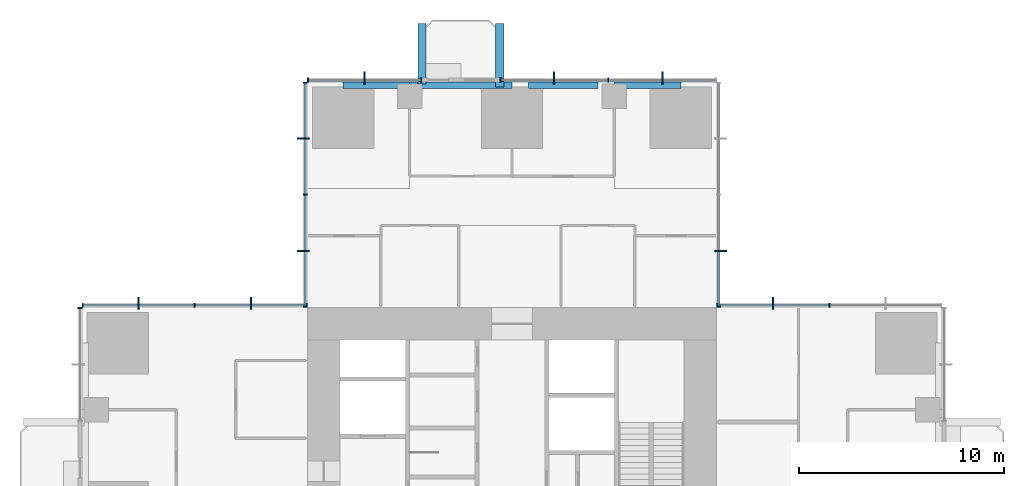
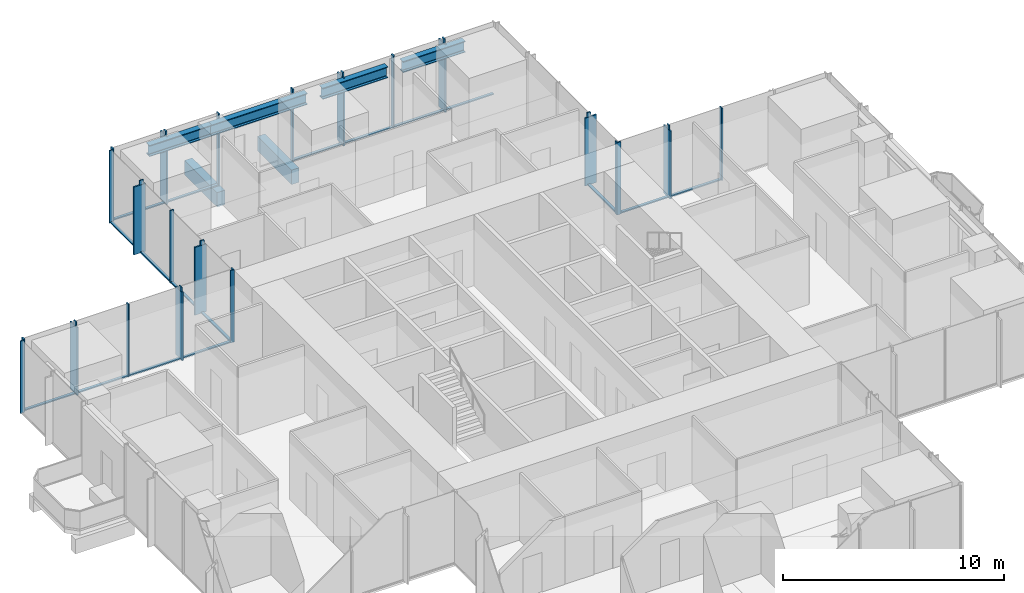
# One storey, part 5 of 14: 49 members, 6 beams, 7 elements without a shape of their own.
"""IFC4 building model written with IfcOpenShell, lengths in metres."""

from ifc_helpers import new_model, si_unit, direction, frame, origin, origin_2d, place, context, subcontext, project, spatial, rectangle, i_section, extrude, material, material_profile, profile_set, type_object, element, aggregate, save


model = new_model("IFC4")

# Units and contexts
model_context = context("Model", 3, precision=1e-05, world=origin(), true_north=direction((0.0, 1.0)))
body_context = subcontext(model_context, "Body", "Model", "MODEL_VIEW")
ifc_project = project(units=[si_unit("LENGTHUNIT", "METRE"), si_unit("AREAUNIT", "SQUARE_METRE"), si_unit("VOLUMEUNIT", "CUBIC_METRE"), si_unit("PLANEANGLEUNIT", "RADIAN"), si_unit("MASSUNIT", "GRAM", prefix="KILO")], contexts=[model_context])

# Site, building, storey
site_placement = place(None, origin())
site = spatial("IfcSite", under=ifc_project, at=site_placement, CompositionType="ELEMENT")
building_placement = place(site_placement, origin())
building = spatial("IfcBuilding", under=site, at=building_placement, Name="Svetlomir Tower", CompositionType="ELEMENT")
storey_placement = place(building_placement, frame((0.0, 0.0, 108.5)))
storey = spatial("IfcBuildingStorey", under=building, at=storey_placement, Name="L25", CompositionType="ELEMENT", Elevation=108.5)

# Beams
ifc_material_1 = material(Name="Concrete C60/75", Category="concrete")
ifc_material_profile_1 = material_profile(ifc_material_1, rectangle(XDim=0.39990234375, YDim=0.800048828125, at=origin_2d()), Name="RC 400x800")
ifc_profile_set_1 = profile_set([ifc_material_profile_1], Name="Concrete C60/75")
beam_type_1 = type_object("IfcBeamType", Name="BALCONY RIB RC 400x800", PredefinedType="BEAM", material=ifc_profile_set_1)
beam_1_placement = place(storey_placement, frame((16.60009765625, 41.89990234375, -0.64990234375), z_axis=(0.0, 1.0, 0.0), x_axis=(-1.0, 0.0, 0.0)))
element("IfcBeam", 1, at=beam_1_placement, inside=storey, type_object=beam_type_1, Name="Balcony rib N 1 L25", PredefinedType="BEAM", context=body_context, shape_type="SweptSolid", body=[
    extrude(rectangle(XDim=0.39990234375, YDim=0.800048828125, at=origin_2d()), origin(), (0.0, 0.0, 1.0), 2.9501953125),
])
beam_2_placement = place(storey_placement, frame((20.39990234375, 41.75, -0.64990234375), z_axis=(0.0, 1.0, 0.0), x_axis=(-1.0, 0.0, 0.0)))
element("IfcBeam", 2, at=beam_2_placement, inside=storey, type_object=beam_type_1, Name="Balcony rib N 2 L25", PredefinedType="BEAM", context=body_context, shape_type="SweptSolid", body=[
    extrude(rectangle(XDim=0.39990234375, YDim=0.800048828125, at=origin_2d()), origin(), (0.0, 0.0, 1.0), 3.10009765625),
])

# Curtain wall, member
ifc_material_2 = material(Name="Bronze anodised aluminium curtain wall", Category="aluminium")
curtain_wall_type = type_object("IfcCurtainWallType", Name="CURTAIN WALL CW1 TOWER OFFICE", PredefinedType="NOTDEFINED", material=ifc_material_2)
curtain_wall_1_placement = place(storey_placement, origin())
curtain_wall_1 = element("IfcCurtainWall", 3, at=curtain_wall_1_placement, inside=storey, type_object=curtain_wall_type, Name="Curtain wall CW1 L25", PredefinedType="NOTDEFINED")
ifc_material_3 = material(Name="Bronze anodised aluminium", Category="aluminium")
ifc_material_profile_2 = material_profile(ifc_material_3, rectangle(XDim=0.080078125, YDim=0.60009765625, at=origin_2d()), Name="FIN 80x600")
ifc_profile_set_2 = profile_set([ifc_material_profile_2], Name="Bronze anodised aluminium 6063-T6")
member_type_1 = type_object("IfcMemberType", Name="BRONZE FIN 80x600", PredefinedType="USERDEFINED", material=ifc_profile_set_2)
member_1_placement = place(storey_placement, frame((33.75, 31.199951171875, 0.0), z_axis=(0.0, 0.0, 1.0), x_axis=(1.0, 0.0, 0.0)))
member_1 = element("IfcMember", 4, at=member_1_placement, type_object=member_type_1, Name="Bronze fin L25", ObjectType="FIN", PredefinedType="USERDEFINED", context=body_context, shape_type="SweptSolid", body=[
    extrude(rectangle(XDim=0.080078125, YDim=0.60009765625, at=origin_2d()), origin(), (0.0, 0.0, 1.0), 3.75),
])

curtain_wall_2_placement = place(storey_placement, origin())
curtain_wall_2 = element("IfcCurtainWall", 5, at=curtain_wall_2_placement, inside=storey, type_object=curtain_wall_type, Name="Curtain wall CW1 L25", PredefinedType="NOTDEFINED")
member_2_placement = place(storey_placement, frame((31.199951171875, 33.75, 0.0), z_axis=(0.0, 0.0, 1.0), x_axis=(0.0, 1.0, 0.0)))
member_2 = element("IfcMember", 6, at=member_2_placement, type_object=member_type_1, Name="Bronze fin L25", ObjectType="FIN", PredefinedType="USERDEFINED", context=body_context, shape_type="SweptSolid", body=[
    extrude(rectangle(XDim=0.080078125, YDim=0.60009765625, at=origin_2d()), origin(), (0.0, 0.0, 1.0), 3.75),
])

# Curtain wall, members
curtain_wall_3_placement = place(storey_placement, origin())
curtain_wall_3 = element("IfcCurtainWall", 7, at=curtain_wall_3_placement, inside=storey, type_object=curtain_wall_type, Name="Curtain wall CW1 L25", PredefinedType="NOTDEFINED")
member_3_placement = place(storey_placement, frame((28.35009765625, 42.199951171875, 0.0), z_axis=(0.0, 0.0, 1.0), x_axis=(1.0, 0.0, 0.0)))
member_3 = element("IfcMember", 8, at=member_3_placement, type_object=member_type_1, Name="Bronze fin L25", ObjectType="FIN", PredefinedType="USERDEFINED", context=body_context, shape_type="SweptSolid", body=[
    extrude(rectangle(XDim=0.080078125, YDim=0.60009765625, at=origin_2d()), origin(), (0.0, 0.0, 1.0), 3.75),
])
member_4_placement = place(storey_placement, frame((23.050048828125, 42.199951171875, 0.0), z_axis=(0.0, 0.0, 1.0), x_axis=(1.0, 0.0, 0.0)))
member_4 = element("IfcMember", 9, at=member_4_placement, type_object=member_type_1, Name="Bronze fin L25", ObjectType="FIN", PredefinedType="USERDEFINED", context=body_context, shape_type="SweptSolid", body=[
    extrude(rectangle(XDim=0.080078125, YDim=0.60009765625, at=origin_2d()), origin(), (0.0, 0.0, 1.0), 3.75),
])

# Curtain wall, member
curtain_wall_4_placement = place(storey_placement, origin())
curtain_wall_4 = element("IfcCurtainWall", 10, at=curtain_wall_4_placement, inside=storey, type_object=curtain_wall_type, Name="Curtain wall CW1 L25", PredefinedType="NOTDEFINED")
member_5_placement = place(storey_placement, frame((13.800048828125, 42.199951171875, 0.0), z_axis=(0.0, 0.0, 1.0), x_axis=(1.0, 0.0, 0.0)))
member_5 = element("IfcMember", 11, at=member_5_placement, type_object=member_type_1, Name="Bronze fin L25", ObjectType="FIN", PredefinedType="USERDEFINED", context=body_context, shape_type="SweptSolid", body=[
    extrude(rectangle(XDim=0.080078125, YDim=0.60009765625, at=origin_2d()), origin(), (0.0, 0.0, 1.0), 3.75),
])

# Curtain wall, members
curtain_wall_5_placement = place(storey_placement, origin())
curtain_wall_5 = element("IfcCurtainWall", 12, at=curtain_wall_5_placement, inside=storey, type_object=curtain_wall_type, Name="Curtain wall CW1 L25", PredefinedType="NOTDEFINED")
member_6_placement = place(storey_placement, frame((10.800048828125, 39.25, 0.0), z_axis=(0.0, 0.0, 1.0), x_axis=(0.0, 1.0, 0.0)))
member_6 = element("IfcMember", 13, at=member_6_placement, type_object=member_type_1, Name="Bronze fin L25", ObjectType="FIN", PredefinedType="USERDEFINED", context=body_context, shape_type="SweptSolid", body=[
    extrude(rectangle(XDim=0.080078125, YDim=0.60009765625, at=origin_2d()), origin(), (0.0, 0.0, 1.0), 3.75),
])
member_7_placement = place(storey_placement, frame((10.800048828125, 33.75, 0.0), z_axis=(0.0, 0.0, 1.0), x_axis=(0.0, 1.0, 0.0)))
member_7 = element("IfcMember", 14, at=member_7_placement, type_object=member_type_1, Name="Bronze fin L25", ObjectType="FIN", PredefinedType="USERDEFINED", context=body_context, shape_type="SweptSolid", body=[
    extrude(rectangle(XDim=0.080078125, YDim=0.60009765625, at=origin_2d()), origin(), (0.0, 0.0, 1.0), 3.75),
])

curtain_wall_6_placement = place(storey_placement, origin())
curtain_wall_6 = element("IfcCurtainWall", 15, at=curtain_wall_6_placement, inside=storey, type_object=curtain_wall_type, Name="Curtain wall CW1 L25", PredefinedType="NOTDEFINED")
member_8_placement = place(storey_placement, frame((8.25, 31.199951171875, 0.0), z_axis=(0.0, 0.0, 1.0), x_axis=(1.0, 0.0, 0.0)))
member_8 = element("IfcMember", 16, at=member_8_placement, type_object=member_type_1, Name="Bronze fin L25", ObjectType="FIN", PredefinedType="USERDEFINED", context=body_context, shape_type="SweptSolid", body=[
    extrude(rectangle(XDim=0.080078125, YDim=0.60009765625, at=origin_2d()), origin(), (0.0, 0.0, 1.0), 3.75),
])
member_9_placement = place(storey_placement, frame((2.75, 31.199951171875, 0.0), z_axis=(0.0, 0.0, 1.0), x_axis=(1.0, 0.0, 0.0)))
member_9 = element("IfcMember", 17, at=member_9_placement, type_object=member_type_1, Name="Bronze fin L25", ObjectType="FIN", PredefinedType="USERDEFINED", context=body_context, shape_type="SweptSolid", body=[
    extrude(rectangle(XDim=0.080078125, YDim=0.60009765625, at=origin_2d()), origin(), (0.0, 0.0, 1.0), 3.75),
])

# Member
ifc_material_4 = material(Name="Bronze anodised aluminium", Category="aluminium")
ifc_material_profile_3 = material_profile(ifc_material_4, rectangle(XDim=0.06494140625, YDim=0.199951171875, at=origin_2d()), Name="AL 65x200")
ifc_profile_set_3 = profile_set([ifc_material_profile_3], Name="Bronze anodised aluminium 6063-T6")
member_type_2 = type_object("IfcMemberType", Name="CW1 MULLION 65x200", PredefinedType="MULLION", material=ifc_profile_set_3)
member_10_placement = place(storey_placement, frame((36.5, 31.10009765625, 0.0), z_axis=(0.0, 0.0, 1.0), x_axis=(-1.0, 0.0, 0.0)))
member_10 = element("IfcMember", 18, at=member_10_placement, type_object=member_type_2, Name="CW1 mullion 3", PredefinedType="MULLION", context=body_context, shape_type="SweptSolid", body=[
    extrude(rectangle(XDim=0.06494140625, YDim=0.199951171875, at=origin_2d()), origin(), (0.0, 0.0, 1.0), 4.0),
])

member_11_placement = place(storey_placement, frame((33.75, 31.10009765625, 0.0), z_axis=(0.0, 0.0, 1.0), x_axis=(-1.0, 0.0, 0.0)))
member_11 = element("IfcMember", 19, at=member_11_placement, type_object=member_type_2, Name="CW1 mullion 4", PredefinedType="MULLION", context=body_context, shape_type="SweptSolid", body=[
    extrude(rectangle(XDim=0.06494140625, YDim=0.199951171875, at=origin_2d()), origin(), (0.0, 0.0, 1.0), 4.0),
])

member_12_placement = place(storey_placement, frame((31.032470703125, 31.10009765625, 0.0), z_axis=(0.0, 0.0, 1.0), x_axis=(-1.0, 0.0, 0.0)))
member_12 = element("IfcMember", 20, at=member_12_placement, type_object=member_type_2, Name="CW1 mullion 5", PredefinedType="MULLION", context=body_context, shape_type="SweptSolid", body=[
    extrude(rectangle(XDim=0.06494140625, YDim=0.199951171875, at=origin_2d()), origin(), (0.0, 0.0, 1.0), 4.0),
])

member_13_placement = place(storey_placement, frame((31.10009765625, 31.032470703125, 0.0), z_axis=(0.0, 0.0, 1.0), x_axis=(0.0, 1.0, 0.0)))
member_13 = element("IfcMember", 21, at=member_13_placement, type_object=member_type_2, Name="CW1 mullion 1", PredefinedType="MULLION", context=body_context, shape_type="SweptSolid", body=[
    extrude(rectangle(XDim=0.06494140625, YDim=0.199951171875, at=origin_2d()), origin(), (0.0, 0.0, 1.0), 4.0),
])

member_14_placement = place(storey_placement, frame((31.10009765625, 33.75, 0.0), z_axis=(0.0, 0.0, 1.0), x_axis=(0.0, 1.0, 0.0)))
member_14 = element("IfcMember", 22, at=member_14_placement, type_object=member_type_2, Name="CW1 mullion 2", PredefinedType="MULLION", context=body_context, shape_type="SweptSolid", body=[
    extrude(rectangle(XDim=0.06494140625, YDim=0.199951171875, at=origin_2d()), origin(), (0.0, 0.0, 1.0), 4.0),
])

member_15_placement = place(storey_placement, frame((28.35009765625, 42.10009765625, 0.0), z_axis=(0.0, 0.0, 1.0), x_axis=(-1.0, 0.0, 0.0)))
member_15 = element("IfcMember", 23, at=member_15_placement, type_object=member_type_2, Name="CW1 mullion 2", PredefinedType="MULLION", context=body_context, shape_type="SweptSolid", body=[
    extrude(rectangle(XDim=0.06494140625, YDim=0.199951171875, at=origin_2d()), origin(), (0.0, 0.0, 1.0), 4.0),
])

member_16_placement = place(storey_placement, frame((25.699951171875, 42.10009765625, 0.0), z_axis=(0.0, 0.0, 1.0), x_axis=(-1.0, 0.0, 0.0)))
member_16 = element("IfcMember", 24, at=member_16_placement, type_object=member_type_2, Name="CW1 mullion 3", PredefinedType="MULLION", context=body_context, shape_type="SweptSolid", body=[
    extrude(rectangle(XDim=0.06494140625, YDim=0.199951171875, at=origin_2d()), origin(), (0.0, 0.0, 1.0), 4.0),
])

member_17_placement = place(storey_placement, frame((23.050048828125, 42.10009765625, 0.0), z_axis=(0.0, 0.0, 1.0), x_axis=(-1.0, 0.0, 0.0)))
member_17 = element("IfcMember", 25, at=member_17_placement, type_object=member_type_2, Name="CW1 mullion 4", PredefinedType="MULLION", context=body_context, shape_type="SweptSolid", body=[
    extrude(rectangle(XDim=0.06494140625, YDim=0.199951171875, at=origin_2d()), origin(), (0.0, 0.0, 1.0), 4.0),
])

member_18_placement = place(storey_placement, frame((20.4326171875, 42.10009765625, 0.0), z_axis=(0.0, 0.0, 1.0), x_axis=(-1.0, 0.0, 0.0)))
member_18 = element("IfcMember", 26, at=member_18_placement, type_object=member_type_2, Name="CW1 mullion 5", PredefinedType="MULLION", context=body_context, shape_type="SweptSolid", body=[
    extrude(rectangle(XDim=0.06494140625, YDim=0.199951171875, at=origin_2d()), origin(), (0.0, 0.0, 1.0), 4.0),
])

member_19_placement = place(storey_placement, frame((16.5673828125, 42.10009765625, 0.0), z_axis=(0.0, 0.0, 1.0), x_axis=(-1.0, 0.0, 0.0)))
member_19 = element("IfcMember", 27, at=member_19_placement, type_object=member_type_2, Name="CW1 mullion 1", PredefinedType="MULLION", context=body_context, shape_type="SweptSolid", body=[
    extrude(rectangle(XDim=0.06494140625, YDim=0.199951171875, at=origin_2d()), origin(), (0.0, 0.0, 1.0), 4.0),
])

member_20_placement = place(storey_placement, frame((13.800048828125, 42.10009765625, 0.0), z_axis=(0.0, 0.0, 1.0), x_axis=(-1.0, 0.0, 0.0)))
member_20 = element("IfcMember", 28, at=member_20_placement, type_object=member_type_2, Name="CW1 mullion 2", PredefinedType="MULLION", context=body_context, shape_type="SweptSolid", body=[
    extrude(rectangle(XDim=0.06494140625, YDim=0.199951171875, at=origin_2d()), origin(), (0.0, 0.0, 1.0), 4.0),
])

member_21_placement = place(storey_placement, frame((11.032470703125, 42.10009765625, 0.0), z_axis=(0.0, 0.0, 1.0), x_axis=(-1.0, 0.0, 0.0)))
member_21 = element("IfcMember", 29, at=member_21_placement, type_object=member_type_2, Name="CW1 mullion 3", PredefinedType="MULLION", context=body_context, shape_type="SweptSolid", body=[
    extrude(rectangle(XDim=0.06494140625, YDim=0.199951171875, at=origin_2d()), origin(), (0.0, 0.0, 1.0), 4.0),
])

member_22_placement = place(storey_placement, frame((10.89990234375, 41.967529296875, 0.0), z_axis=(0.0, 0.0, 1.0), x_axis=(0.0, -1.0, 0.0)))
member_22 = element("IfcMember", 30, at=member_22_placement, type_object=member_type_2, Name="CW1 mullion 1", PredefinedType="MULLION", context=body_context, shape_type="SweptSolid", body=[
    extrude(rectangle(XDim=0.06494140625, YDim=0.199951171875, at=origin_2d()), origin(), (0.0, 0.0, 1.0), 4.0),
])

member_23_placement = place(storey_placement, frame((10.89990234375, 39.25, 0.0), z_axis=(0.0, 0.0, 1.0), x_axis=(0.0, -1.0, 0.0)))
member_23 = element("IfcMember", 31, at=member_23_placement, type_object=member_type_2, Name="CW1 mullion 2", PredefinedType="MULLION", context=body_context, shape_type="SweptSolid", body=[
    extrude(rectangle(XDim=0.06494140625, YDim=0.199951171875, at=origin_2d()), origin(), (0.0, 0.0, 1.0), 4.0),
])

member_24_placement = place(storey_placement, frame((10.89990234375, 36.5, 0.0), z_axis=(0.0, 0.0, 1.0), x_axis=(0.0, -1.0, 0.0)))
member_24 = element("IfcMember", 32, at=member_24_placement, type_object=member_type_2, Name="CW1 mullion 3", PredefinedType="MULLION", context=body_context, shape_type="SweptSolid", body=[
    extrude(rectangle(XDim=0.06494140625, YDim=0.199951171875, at=origin_2d()), origin(), (0.0, 0.0, 1.0), 4.0),
])

member_25_placement = place(storey_placement, frame((10.89990234375, 33.75, 0.0), z_axis=(0.0, 0.0, 1.0), x_axis=(0.0, -1.0, 0.0)))
member_25 = element("IfcMember", 33, at=member_25_placement, type_object=member_type_2, Name="CW1 mullion 4", PredefinedType="MULLION", context=body_context, shape_type="SweptSolid", body=[
    extrude(rectangle(XDim=0.06494140625, YDim=0.199951171875, at=origin_2d()), origin(), (0.0, 0.0, 1.0), 4.0),
])

member_26_placement = place(storey_placement, frame((10.89990234375, 31.032470703125, 0.0), z_axis=(0.0, 0.0, 1.0), x_axis=(0.0, -1.0, 0.0)))
member_26 = element("IfcMember", 34, at=member_26_placement, type_object=member_type_2, Name="CW1 mullion 5", PredefinedType="MULLION", context=body_context, shape_type="SweptSolid", body=[
    extrude(rectangle(XDim=0.06494140625, YDim=0.199951171875, at=origin_2d()), origin(), (0.0, 0.0, 1.0), 4.0),
])

member_27_placement = place(storey_placement, frame((10.967529296875, 31.10009765625, 0.0), z_axis=(0.0, 0.0, 1.0), x_axis=(-1.0, 0.0, 0.0)))
member_27 = element("IfcMember", 35, at=member_27_placement, type_object=member_type_2, Name="CW1 mullion 1", PredefinedType="MULLION", context=body_context, shape_type="SweptSolid", body=[
    extrude(rectangle(XDim=0.06494140625, YDim=0.199951171875, at=origin_2d()), origin(), (0.0, 0.0, 1.0), 4.0),
])

member_28_placement = place(storey_placement, frame((8.25, 31.10009765625, 0.0), z_axis=(0.0, 0.0, 1.0), x_axis=(-1.0, 0.0, 0.0)))
member_28 = element("IfcMember", 36, at=member_28_placement, type_object=member_type_2, Name="CW1 mullion 2", PredefinedType="MULLION", context=body_context, shape_type="SweptSolid", body=[
    extrude(rectangle(XDim=0.06494140625, YDim=0.199951171875, at=origin_2d()), origin(), (0.0, 0.0, 1.0), 4.0),
])

member_29_placement = place(storey_placement, frame((5.5, 31.10009765625, 0.0), z_axis=(0.0, 0.0, 1.0), x_axis=(-1.0, 0.0, 0.0)))
member_29 = element("IfcMember", 37, at=member_29_placement, type_object=member_type_2, Name="CW1 mullion 3", PredefinedType="MULLION", context=body_context, shape_type="SweptSolid", body=[
    extrude(rectangle(XDim=0.06494140625, YDim=0.199951171875, at=origin_2d()), origin(), (0.0, 0.0, 1.0), 4.0),
])

member_30_placement = place(storey_placement, frame((2.75, 31.10009765625, 0.0), z_axis=(0.0, 0.0, 1.0), x_axis=(-1.0, 0.0, 0.0)))
member_30 = element("IfcMember", 38, at=member_30_placement, type_object=member_type_2, Name="CW1 mullion 4", PredefinedType="MULLION", context=body_context, shape_type="SweptSolid", body=[
    extrude(rectangle(XDim=0.06494140625, YDim=0.199951171875, at=origin_2d()), origin(), (0.0, 0.0, 1.0), 4.0),
])

member_31_placement = place(storey_placement, frame((0.032470703125, 31.10009765625, 0.0), z_axis=(0.0, 0.0, 1.0), x_axis=(-1.0, 0.0, 0.0)))
member_31 = element("IfcMember", 39, at=member_31_placement, type_object=member_type_2, Name="CW1 mullion 5", PredefinedType="MULLION", context=body_context, shape_type="SweptSolid", body=[
    extrude(rectangle(XDim=0.06494140625, YDim=0.199951171875, at=origin_2d()), origin(), (0.0, 0.0, 1.0), 4.0),
])

# Curtain wall, member
curtain_wall_7_placement = place(storey_placement, origin())
curtain_wall_7 = element("IfcCurtainWall", 40, at=curtain_wall_7_placement, inside=storey, type_object=curtain_wall_type, Name="Curtain wall CW1 L25", PredefinedType="NOTDEFINED")
member_32_placement = place(storey_placement, frame((-0.10009765625, 30.967529296875, 0.0), z_axis=(0.0, 0.0, 1.0), x_axis=(0.0, -1.0, 0.0)))
member_32 = element("IfcMember", 41, at=member_32_placement, type_object=member_type_2, Name="CW1 mullion 1", PredefinedType="MULLION", context=body_context, shape_type="SweptSolid", body=[
    extrude(rectangle(XDim=0.06494140625, YDim=0.199951171875, at=origin_2d()), origin(), (0.0, 0.0, 1.0), 4.0),
])
aggregate(curtain_wall_7, [member_32])

# Member
ifc_material_5 = material(Name="Bronze anodised aluminium", Category="aluminium")
ifc_material_profile_4 = material_profile(ifc_material_5, rectangle(XDim=0.139892578125, YDim=0.06494140625, at=origin_2d()), Name="AL 140x65")
ifc_profile_set_4 = profile_set([ifc_material_profile_4], Name="Bronze anodised aluminium 6063-T6")
member_type_3 = type_object("IfcMemberType", Name="CW1 TRANSOM 65x140", PredefinedType="USERDEFINED", material=ifc_profile_set_4)
member_33_placement = place(storey_placement, frame((36.467529296875, 31.10009765625, 0.032470703125), z_axis=(-1.0, 0.0, 0.0), x_axis=(0.0, -1.0, 0.0)))
member_33 = element("IfcMember", 42, at=member_33_placement, type_object=member_type_3, Name="CW1 transom 3.1", ObjectType="TRANSOM", PredefinedType="USERDEFINED", context=body_context, shape_type="SweptSolid", body=[
    extrude(rectangle(XDim=0.139892578125, YDim=0.06494140625, at=origin_2d()), origin(), (0.0, 0.0, 1.0), 2.68505859375),
])

member_34_placement = place(storey_placement, frame((33.717529296875, 31.10009765625, 0.032470703125), z_axis=(-1.0, 0.0, 0.0), x_axis=(0.0, -1.0, 0.0)))
member_34 = element("IfcMember", 43, at=member_34_placement, type_object=member_type_3, Name="CW1 transom 4.1", ObjectType="TRANSOM", PredefinedType="USERDEFINED", context=body_context, shape_type="SweptSolid", body=[
    extrude(rectangle(XDim=0.139892578125, YDim=0.06494140625, at=origin_2d()), origin(), (0.0, 0.0, 1.0), 2.652587890625),
])

aggregate(curtain_wall_1, [member_10, member_11, member_12, member_33, member_34, member_1])

member_35_placement = place(storey_placement, frame((31.10009765625, 31.06494140625, 0.032470703125), z_axis=(0.0, 1.0, 0.0), x_axis=(-1.0, 0.0, 0.0)))
member_35 = element("IfcMember", 44, at=member_35_placement, type_object=member_type_3, Name="CW1 transom 1.1", ObjectType="TRANSOM", PredefinedType="USERDEFINED", context=body_context, shape_type="SweptSolid", body=[
    extrude(rectangle(XDim=0.139892578125, YDim=0.06494140625, at=origin_2d()), origin(), (0.0, 0.0, 1.0), 2.652587890625),
])

aggregate(curtain_wall_2, [member_13, member_14, member_35, member_2])

member_36_placement = place(storey_placement, frame((30.93505859375, 42.10009765625, 0.032470703125), z_axis=(-1.0, 0.0, 0.0), x_axis=(0.0, -1.0, 0.0)))
member_36 = element("IfcMember", 45, at=member_36_placement, type_object=member_type_3, Name="CW1 transom 1.1", ObjectType="TRANSOM", PredefinedType="USERDEFINED", context=body_context, shape_type="SweptSolid", body=[
    extrude(rectangle(XDim=0.139892578125, YDim=0.06494140625, at=origin_2d()), origin(), (0.0, 0.0, 1.0), 2.552490234375),
])

member_37_placement = place(storey_placement, frame((28.3173828125, 42.10009765625, 0.032470703125), z_axis=(-1.0, 0.0, 0.0), x_axis=(0.0, -1.0, 0.0)))
member_37 = element("IfcMember", 46, at=member_37_placement, type_object=member_type_3, Name="CW1 transom 2.1", ObjectType="TRANSOM", PredefinedType="USERDEFINED", context=body_context, shape_type="SweptSolid", body=[
    extrude(rectangle(XDim=0.139892578125, YDim=0.06494140625, at=origin_2d()), origin(), (0.0, 0.0, 1.0), 2.5849609375),
])

member_38_placement = place(storey_placement, frame((25.66748046875, 42.10009765625, 0.032470703125), z_axis=(-1.0, 0.0, 0.0), x_axis=(0.0, -1.0, 0.0)))
member_38 = element("IfcMember", 47, at=member_38_placement, type_object=member_type_3, Name="CW1 transom 3.1", ObjectType="TRANSOM", PredefinedType="USERDEFINED", context=body_context, shape_type="SweptSolid", body=[
    extrude(rectangle(XDim=0.139892578125, YDim=0.06494140625, at=origin_2d()), origin(), (0.0, 0.0, 1.0), 2.5849609375),
])

member_39_placement = place(storey_placement, frame((23.017578125, 42.10009765625, 0.032470703125), z_axis=(-1.0, 0.0, 0.0), x_axis=(0.0, -1.0, 0.0)))
member_39 = element("IfcMember", 48, at=member_39_placement, type_object=member_type_3, Name="CW1 transom 4.1", ObjectType="TRANSOM", PredefinedType="USERDEFINED", context=body_context, shape_type="SweptSolid", body=[
    extrude(rectangle(XDim=0.139892578125, YDim=0.06494140625, at=origin_2d()), origin(), (0.0, 0.0, 1.0), 2.552490234375),
])

aggregate(curtain_wall_3, [member_15, member_16, member_17, member_18, member_36, member_37, member_38, member_39, member_3, member_4])

member_40_placement = place(storey_placement, frame((16.534912109375, 42.10009765625, 0.032470703125), z_axis=(-1.0, 0.0, 0.0), x_axis=(0.0, -1.0, 0.0)))
member_40 = element("IfcMember", 49, at=member_40_placement, type_object=member_type_3, Name="CW1 transom 1.1", ObjectType="TRANSOM", PredefinedType="USERDEFINED", context=body_context, shape_type="SweptSolid", body=[
    extrude(rectangle(XDim=0.139892578125, YDim=0.06494140625, at=origin_2d()), origin(), (0.0, 0.0, 1.0), 2.702392578125),
])

member_41_placement = place(storey_placement, frame((13.767578125, 42.10009765625, 0.032470703125), z_axis=(-1.0, 0.0, 0.0), x_axis=(0.0, -1.0, 0.0)))
member_41 = element("IfcMember", 50, at=member_41_placement, type_object=member_type_3, Name="CW1 transom 2.1", ObjectType="TRANSOM", PredefinedType="USERDEFINED", context=body_context, shape_type="SweptSolid", body=[
    extrude(rectangle(XDim=0.139892578125, YDim=0.06494140625, at=origin_2d()), origin(), (0.0, 0.0, 1.0), 2.70263671875),
])

aggregate(curtain_wall_4, [member_19, member_20, member_21, member_40, member_41, member_5])

member_42_placement = place(storey_placement, frame((10.89990234375, 41.93505859375, 0.032470703125), z_axis=(0.0, -1.0, 0.0), x_axis=(1.0, 0.0, 0.0)))
member_42 = element("IfcMember", 51, at=member_42_placement, type_object=member_type_3, Name="CW1 transom 1.1", ObjectType="TRANSOM", PredefinedType="USERDEFINED", context=body_context, shape_type="SweptSolid", body=[
    extrude(rectangle(XDim=0.139892578125, YDim=0.06494140625, at=origin_2d()), origin(), (0.0, 0.0, 1.0), 2.652587890625),
])

member_43_placement = place(storey_placement, frame((10.89990234375, 39.217529296875, 0.032470703125), z_axis=(0.0, -1.0, 0.0), x_axis=(1.0, 0.0, 0.0)))
member_43 = element("IfcMember", 52, at=member_43_placement, type_object=member_type_3, Name="CW1 transom 2.1", ObjectType="TRANSOM", PredefinedType="USERDEFINED", context=body_context, shape_type="SweptSolid", body=[
    extrude(rectangle(XDim=0.139892578125, YDim=0.06494140625, at=origin_2d()), origin(), (0.0, 0.0, 1.0), 2.68505859375),
])

member_44_placement = place(storey_placement, frame((10.89990234375, 36.467529296875, 0.032470703125), z_axis=(0.0, -1.0, 0.0), x_axis=(1.0, 0.0, 0.0)))
member_44 = element("IfcMember", 53, at=member_44_placement, type_object=member_type_3, Name="CW1 transom 3.1", ObjectType="TRANSOM", PredefinedType="USERDEFINED", context=body_context, shape_type="SweptSolid", body=[
    extrude(rectangle(XDim=0.139892578125, YDim=0.06494140625, at=origin_2d()), origin(), (0.0, 0.0, 1.0), 2.68505859375),
])

member_45_placement = place(storey_placement, frame((10.89990234375, 33.717529296875, 0.032470703125), z_axis=(0.0, -1.0, 0.0), x_axis=(1.0, 0.0, 0.0)))
member_45 = element("IfcMember", 54, at=member_45_placement, type_object=member_type_3, Name="CW1 transom 4.1", ObjectType="TRANSOM", PredefinedType="USERDEFINED", context=body_context, shape_type="SweptSolid", body=[
    extrude(rectangle(XDim=0.139892578125, YDim=0.06494140625, at=origin_2d()), origin(), (0.0, 0.0, 1.0), 2.652587890625),
])

aggregate(curtain_wall_5, [member_22, member_23, member_24, member_25, member_26, member_42, member_43, member_44, member_45, member_6, member_7])

member_46_placement = place(storey_placement, frame((10.93505859375, 31.10009765625, 0.032470703125), z_axis=(-1.0, 0.0, 0.0), x_axis=(0.0, -1.0, 0.0)))
member_46 = element("IfcMember", 55, at=member_46_placement, type_object=member_type_3, Name="CW1 transom 1.1", ObjectType="TRANSOM", PredefinedType="USERDEFINED", context=body_context, shape_type="SweptSolid", body=[
    extrude(rectangle(XDim=0.139892578125, YDim=0.06494140625, at=origin_2d()), origin(), (0.0, 0.0, 1.0), 2.652587890625),
])

member_47_placement = place(storey_placement, frame((8.217529296875, 31.10009765625, 0.032470703125), z_axis=(-1.0, 0.0, 0.0), x_axis=(0.0, -1.0, 0.0)))
member_47 = element("IfcMember", 56, at=member_47_placement, type_object=member_type_3, Name="CW1 transom 2.1", ObjectType="TRANSOM", PredefinedType="USERDEFINED", context=body_context, shape_type="SweptSolid", body=[
    extrude(rectangle(XDim=0.139892578125, YDim=0.06494140625, at=origin_2d()), origin(), (0.0, 0.0, 1.0), 2.68505859375),
])

member_48_placement = place(storey_placement, frame((5.467529296875, 31.10009765625, 0.032470703125), z_axis=(-1.0, 0.0, 0.0), x_axis=(0.0, -1.0, 0.0)))
member_48 = element("IfcMember", 57, at=member_48_placement, type_object=member_type_3, Name="CW1 transom 3.1", ObjectType="TRANSOM", PredefinedType="USERDEFINED", context=body_context, shape_type="SweptSolid", body=[
    extrude(rectangle(XDim=0.139892578125, YDim=0.06494140625, at=origin_2d()), origin(), (0.0, 0.0, 1.0), 2.68505859375),
])

member_49_placement = place(storey_placement, frame((2.717529296875, 31.10009765625, 0.032470703125), z_axis=(-1.0, 0.0, 0.0), x_axis=(0.0, -1.0, 0.0)))
member_49 = element("IfcMember", 58, at=member_49_placement, type_object=member_type_3, Name="CW1 transom 4.1", ObjectType="TRANSOM", PredefinedType="USERDEFINED", context=body_context, shape_type="SweptSolid", body=[
    extrude(rectangle(XDim=0.139892578125, YDim=0.06494140625, at=origin_2d()), origin(), (0.0, 0.0, 1.0), 2.652587890625),
])

aggregate(curtain_wall_6, [member_27, member_28, member_29, member_30, member_31, member_46, member_47, member_48, member_49, member_8, member_9])

# Beams
ifc_material_6 = material(Name="Steel S355", Category="steel")
ifc_material_profile_5 = material_profile(ifc_material_6, i_section(OverallWidth=0.304931640625, OverallDepth=0.6201171875, WebThickness=0.02099609375, FlangeThickness=0.0400390625, FilletRadius=0.027099609375, at=origin_2d()), Name="HEM 600")
ifc_profile_set_5 = profile_set([ifc_material_profile_5], Name="Steel S355")
beam_type_2 = type_object("IfcBeamType", Name="EDGE BEAM HEM 600", PredefinedType="SPANDREL", material=ifc_profile_set_5)
beam_3_placement = place(storey_placement, frame((12.75, 41.847412109375, 3.43994140625), z_axis=(1.0, 0.0, 0.0), x_axis=(0.0, 1.0, 0.0)))
element("IfcBeam", 59, at=beam_3_placement, inside=storey, type_object=beam_type_2, Name="Edge beam 11/42 to 16/42 under L26", PredefinedType="SPANDREL", context=body_context, shape_type="SweptSolid", body=[
    extrude(i_section(OverallWidth=0.304931640625, OverallDepth=0.6201171875, WebThickness=0.02099609375, FlangeThickness=0.0400390625, FilletRadius=0.027099609375, at=origin_2d()), origin(), (0.0, 0.0, 1.0), 3.25),
])
beam_4_placement = place(storey_placement, frame((16.0, 41.847412109375, 3.43994140625), z_axis=(1.0, 0.0, 0.0), x_axis=(0.0, 1.0, 0.0)))
element("IfcBeam", 60, at=beam_4_placement, inside=storey, type_object=beam_type_2, Name="Edge beam 16/42 to 21/42 under L26", PredefinedType="SPANDREL", context=body_context, shape_type="SweptSolid", body=[
    extrude(i_section(OverallWidth=0.304931640625, OverallDepth=0.6201171875, WebThickness=0.02099609375, FlangeThickness=0.0400390625, FilletRadius=0.027099609375, at=origin_2d()), origin(), (0.0, 0.0, 1.0), 5.0),
])
beam_5_placement = place(storey_placement, frame((21.800048828125, 41.847412109375, 3.43994140625), z_axis=(1.0, 0.0, 0.0), x_axis=(0.0, 1.0, 0.0)))
element("IfcBeam", 61, at=beam_5_placement, inside=storey, type_object=beam_type_2, Name="Edge beam 21/42 to 26/42 under L26", PredefinedType="SPANDREL", context=body_context, shape_type="SweptSolid", body=[
    extrude(i_section(OverallWidth=0.304931640625, OverallDepth=0.6201171875, WebThickness=0.02099609375, FlangeThickness=0.0400390625, FilletRadius=0.027099609375, at=origin_2d()), origin(), (0.0, 0.0, 1.0), 3.39990234375),
])
beam_6_placement = place(storey_placement, frame((26.0, 41.847412109375, 3.43994140625), z_axis=(1.0, 0.0, 0.0), x_axis=(0.0, 1.0, 0.0)))
element("IfcBeam", 62, at=beam_6_placement, inside=storey, type_object=beam_type_2, Name="Edge beam 26/42 to 31/42 under L26", PredefinedType="SPANDREL", context=body_context, shape_type="SweptSolid", body=[
    extrude(i_section(OverallWidth=0.304931640625, OverallDepth=0.6201171875, WebThickness=0.02099609375, FlangeThickness=0.0400390625, FilletRadius=0.027099609375, at=origin_2d()), origin(), (0.0, 0.0, 1.0), 3.25),
])

save(model, "model.ifc")
